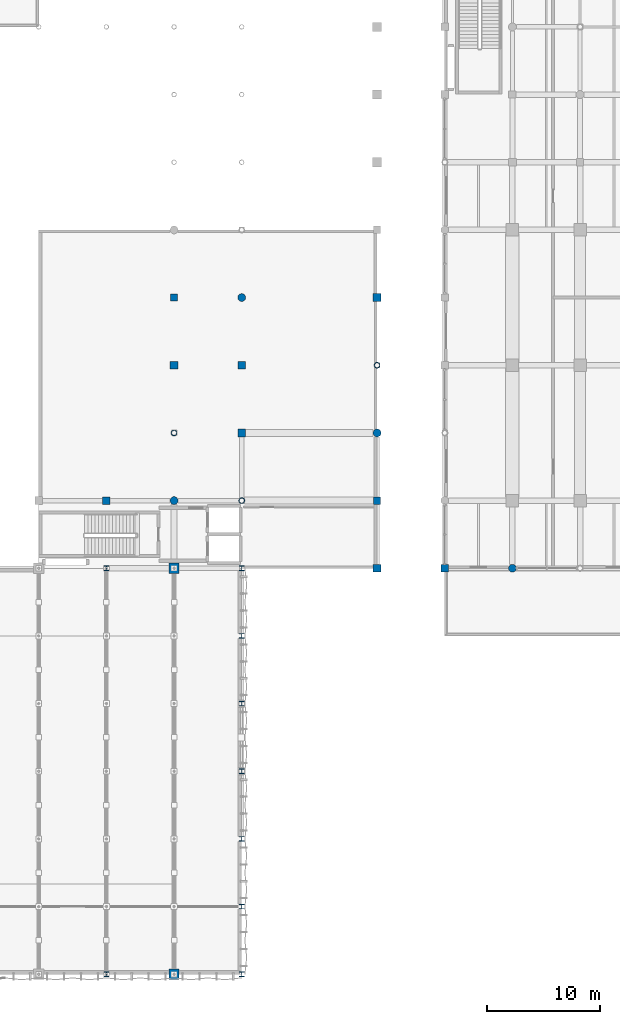
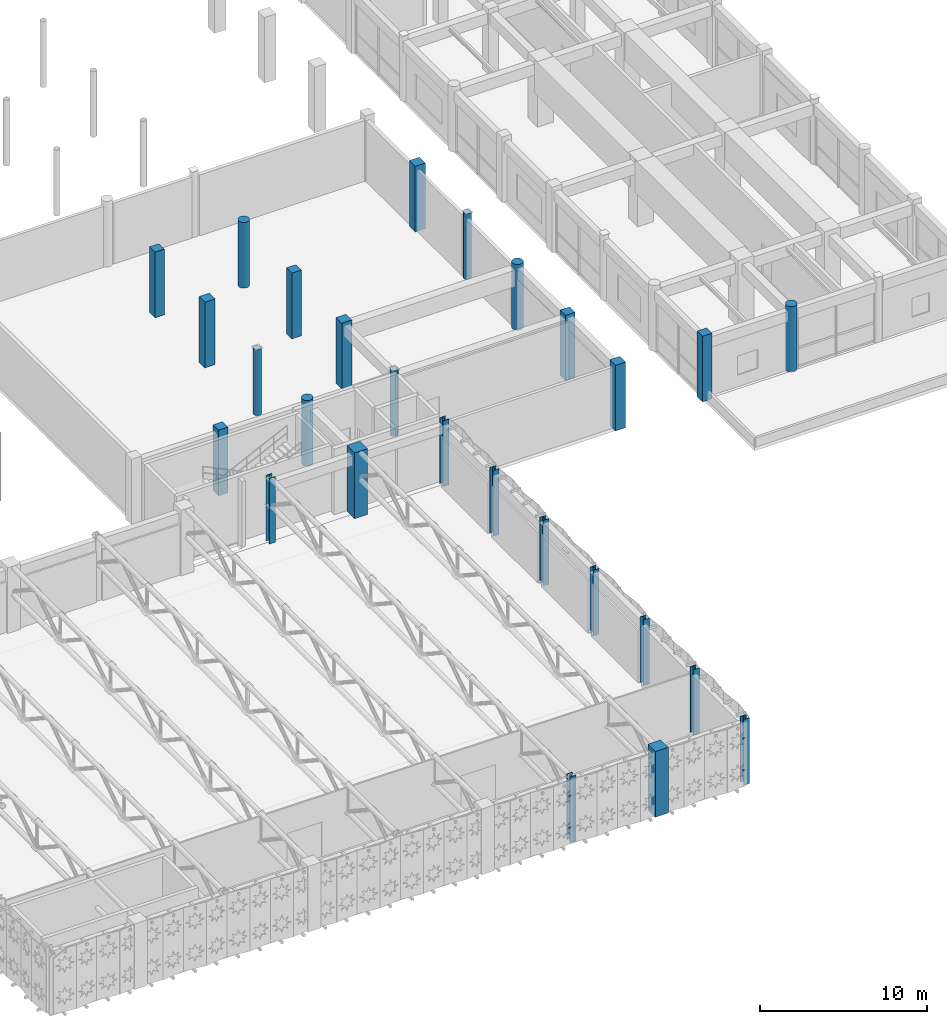
# One storey, part 11 of 123: 27 columns.
"""IFC4 building model written with IfcOpenShell, lengths in metres."""

from ifc_helpers import new_model, si_unit, direction, frame, origin, origin_2d, place, context, subcontext, project, spatial, rectangle, circle, hollow_circle, i_section, extrude, material, material_profile, profile_set, type_object, element, save


model = new_model("IFC4")

# Units and contexts
model_context = context("Model", 3, precision=1e-05, world=origin(), true_north=direction((0.0, 1.0)))
body_context = subcontext(model_context, "Body", "Model", "MODEL_VIEW")
ifc_project = project(units=[si_unit("LENGTHUNIT", "METRE"), si_unit("AREAUNIT", "SQUARE_METRE"), si_unit("VOLUMEUNIT", "CUBIC_METRE"), si_unit("PLANEANGLEUNIT", "RADIAN"), si_unit("MASSUNIT", "GRAM", prefix="KILO"), si_unit("THERMODYNAMICTEMPERATUREUNIT", "KELVIN"), si_unit("POWERUNIT", "WATT")], contexts=[model_context])

# Site, building, storey
site_placement = place(None, origin())
site = spatial("IfcSite", under=ifc_project, at=site_placement, CompositionType="ELEMENT")
building_placement = place(site_placement, origin())
building = spatial("IfcBuilding", under=site, at=building_placement, Name="Phaisarnlok Congress Hotel", CompositionType="ELEMENT")
storey_placement = place(building_placement, frame((0.0, 0.0, 15.0)))
storey = spatial("IfcBuildingStorey", under=building, at=storey_placement, Name="L03", CompositionType="ELEMENT", Elevation=15.0)

# Columns
ifc_material_1 = material(Name="Concrete C50/60", Category="concrete")
ifc_material_profile_1 = material_profile(ifc_material_1, rectangle(XDim=0.64990234375, YDim=0.64990234375, at=origin_2d()), Name="RC 650x650")
ifc_profile_set_1 = profile_set([ifc_material_profile_1], Name="Concrete C50/60")
column_type_1 = type_object("IfcColumnType", Name="COL-RC-650", PredefinedType="COLUMN", material=ifc_profile_set_1)
for number, where, z_axis, x_axis, name in (
    (1, (132.0, 42.0, 0.0), (0.0, 0.0, 1.0), (1.0, 0.0, 0.0), "Column C-04 (L03)"),
    (2, (138.0, 60.0, 0.0), (0.0, 0.0, 1.0), (1.0, 0.0, 0.0), "Column C-04 (L03)"),
    (3, (144.0, 54.0, 0.0), (0.0, 0.0, 1.0), (1.0, 0.0, 0.0), "Column C-04 (L03)"),
    (4, (156.0, 42.0, 0.0), (0.0, 0.0, 1.0), (1.0, 0.0, 0.0), "Column C-04 (L03)"),
    (5, (162.0, 36.0, 0.0), (0.0, 0.0, 1.0), (1.0, 0.0, 0.0), "Column C-04 (L03)"),
):
    element("IfcColumn", number, at=place(storey_placement, frame(where, z_axis=z_axis, x_axis=x_axis)), inside=storey, type_object=column_type_1, Name=name, PredefinedType="COLUMN", context=body_context, shape_type="SweptSolid", body=[
        extrude(rectangle(XDim=0.64990234375, YDim=0.64990234375, at=origin_2d()), origin(), (0.0, 0.0, 1.0), 4.800048828125),
    ])
ifc_material_profile_2 = material_profile(ifc_material_1, rectangle(XDim=0.699951171875, YDim=0.699951171875, at=origin_2d()), Name="RC 700x700")
ifc_profile_set_2 = profile_set([ifc_material_profile_2], Name="Concrete C50/60")
column_type_2 = type_object("IfcColumnType", Name="COL-RC-700", PredefinedType="COLUMN", material=ifc_profile_set_2)
for number, where, z_axis, x_axis, name in (
    (6, (138.0, 54.0, 0.0), (0.0, 0.0, 1.0), (1.0, 0.0, 0.0), "Column C-05 (L03)"),
    (7, (144.0, 48.0, 0.0), (0.0, 0.0, 1.0), (1.0, 0.0, 0.0), "Column C-05 (L03)"),
    (8, (156.0, 36.0, 0.0), (0.0, 0.0, 1.0), (1.0, 0.0, 0.0), "Column C-05 (L03)"),
    (9, (156.0, 60.0, 0.0), (0.0, 0.0, 1.0), (1.0, 0.0, 0.0), "Column C-05 (L03)"),
):
    element("IfcColumn", number, at=place(storey_placement, frame(where, z_axis=z_axis, x_axis=x_axis)), inside=storey, type_object=column_type_2, Name=name, PredefinedType="COLUMN", context=body_context, shape_type="SweptSolid", body=[
        extrude(rectangle(XDim=0.699951171875, YDim=0.699951171875, at=origin_2d()), origin(), (0.0, 0.0, 1.0), 4.800048828125),
    ])
ifc_material_profile_3 = material_profile(ifc_material_1, rectangle(XDim=0.89990234375, YDim=0.89990234375, at=origin_2d()), Name="RC 900x900")
ifc_profile_set_3 = profile_set([ifc_material_profile_3], Name="Concrete C50/60")
column_type_3 = type_object("IfcColumnType", Name="COL-RC-900", PredefinedType="COLUMN", material=ifc_profile_set_3)
column_1_placement = place(storey_placement, frame((138.0, 36.0, 0.0), z_axis=(0.0, 0.0, 1.0), x_axis=(1.0, 0.0, 0.0)))
element("IfcColumn", 10, at=column_1_placement, inside=storey, type_object=column_type_3, Name="Column C-08 (L03)", PredefinedType="COLUMN", context=body_context, shape_type="SweptSolid", body=[
    extrude(rectangle(XDim=0.89990234375, YDim=0.89990234375, at=origin_2d()), origin(), (0.0, 0.0, 1.0), 4.800048828125),
])
ifc_material_profile_4 = material_profile(ifc_material_1, rectangle(XDim=0.89990234375, YDim=0.89990234375, at=origin_2d()), Name="RC 900x900")
ifc_profile_set_4 = profile_set([ifc_material_profile_4], Name="Concrete C50/60")
column_type_4 = type_object("IfcColumnType", Name="COL-RC-900-EXT", PredefinedType="COLUMN", material=ifc_profile_set_4)
column_2_placement = place(storey_placement, frame((138.0, 0.0, 0.0), z_axis=(0.0, 0.0, 1.0), x_axis=(1.0, 0.0, 0.0)))
element("IfcColumn", 11, at=column_2_placement, inside=storey, type_object=column_type_4, Name="Column C-08E (L03)", PredefinedType="COLUMN", context=body_context, shape_type="SweptSolid", body=[
    extrude(rectangle(XDim=0.89990234375, YDim=0.89990234375, at=origin_2d()), origin(), (0.0, 0.0, 1.0), 4.800048828125),
])
ifc_material_profile_5 = material_profile(ifc_material_1, circle(Radius=0.35009765625, at=origin_2d()), Name="RCC D700")
ifc_profile_set_5 = profile_set([ifc_material_profile_5], Name="Concrete C50/60")
column_type_5 = type_object("IfcColumnType", Name="COL-RCC-700", PredefinedType="COLUMN", material=ifc_profile_set_5)
for number, where, z_axis, x_axis, name in (
    (12, (138.0, 42.0, 0.0), (0.0, 0.0, 1.0), (1.0, 0.0, 0.0), "Column C-13 (L03)"),
    (13, (144.0, 60.0, 0.0), (0.0, 0.0, 1.0), (1.0, 0.0, 0.0), "Column C-13 (L03)"),
    (14, (156.0, 48.0, 0.0), (0.0, 0.0, 1.0), (1.0, 0.0, 0.0), "Column C-13 (L03)"),
    (15, (168.0, 36.0, 0.0), (0.0, 0.0, 1.0), (1.0, 0.0, 0.0), "Column C-13 (L03)"),
):
    element("IfcColumn", number, at=place(storey_placement, frame(where, z_axis=z_axis, x_axis=x_axis)), inside=storey, type_object=column_type_5, Name=name, PredefinedType="COLUMN", context=body_context, shape_type="SweptSolid", body=[
        extrude(circle(Radius=0.35009765625, at=origin_2d()), origin(), (0.0, 0.0, 1.0), 4.800048828125),
    ])
ifc_material_2 = material(Name="Steel S355", Category="steel")
ifc_material_profile_6 = material_profile(ifc_material_2, hollow_circle(Radius=0.25390625, WallThickness=0.02490234375, at=origin_2d()), Name="CHS 508x25")
ifc_profile_set_6 = profile_set([ifc_material_profile_6], Name="Steel S355")
column_type_6 = type_object("IfcColumnType", Name="COL-STL-CHS508", PredefinedType="COLUMN", material=ifc_profile_set_6)
for number, where, z_axis, x_axis, name in (
    (16, (138.0, 48.0, 0.0), (0.0, 0.0, 1.0), (1.0, 0.0, 0.0), "Column SC-03 (L03)"),
    (17, (144.0, 42.0, 0.0), (0.0, 0.0, 1.0), (1.0, 0.0, 0.0), "Column SC-03 (L03)"),
    (18, (156.0, 54.0, 0.0), (0.0, 0.0, 1.0), (1.0, 0.0, 0.0), "Column SC-03 (L03)"),
):
    element("IfcColumn", number, at=place(storey_placement, frame(where, z_axis=z_axis, x_axis=x_axis)), inside=storey, type_object=column_type_6, Name=name, PredefinedType="COLUMN", context=body_context, shape_type="SweptSolid", body=[
        extrude(hollow_circle(Radius=0.25390625, WallThickness=0.02490234375, at=origin_2d()), origin(), (0.0, 0.0, 1.0), 4.800048828125),
    ])
ifc_material_profile_7 = material_profile(ifc_material_2, i_section(OverallWidth=0.406005859375, OverallDepth=0.416015625, WebThickness=0.021484375, FlangeThickness=0.034912109375, FilletRadius=0.014892578125, at=origin_2d()), Name="HD 400x382")
ifc_profile_set_7 = profile_set([ifc_material_profile_7], Name="Steel S355")
column_type_7 = type_object("IfcColumnType", Name="COL-STL-HD382", PredefinedType="COLUMN", material=ifc_profile_set_7)
for number, where, z_axis, x_axis, name in (
    (19, (132.0, 36.0, 0.0), (0.0, 0.0, 1.0), (1.0, 0.0, 0.0), "Column SC-05 (L03)"),
    (20, (144.0, 6.0, 0.0), (0.0, 0.0, 1.0), (1.0, 0.0, 0.0), "Column SC-05 (L03)"),
    (21, (144.0, 12.0, 0.0), (0.0, 0.0, 1.0), (1.0, 0.0, 0.0), "Column SC-05 (L03)"),
    (22, (144.0, 18.0, 0.0), (0.0, 0.0, 1.0), (1.0, 0.0, 0.0), "Column SC-05 (L03)"),
    (23, (144.0, 24.0, 0.0), (0.0, 0.0, 1.0), (1.0, 0.0, 0.0), "Column SC-05 (L03)"),
    (24, (144.0, 30.0, 0.0), (0.0, 0.0, 1.0), (1.0, 0.0, 0.0), "Column SC-05 (L03)"),
    (25, (144.0, 36.0, 0.0), (0.0, 0.0, 1.0), (1.0, 0.0, 0.0), "Column SC-05 (L03)"),
):
    element("IfcColumn", number, at=place(storey_placement, frame(where, z_axis=z_axis, x_axis=x_axis)), inside=storey, type_object=column_type_7, Name=name, PredefinedType="COLUMN", context=body_context, shape_type="SweptSolid", body=[
        extrude(i_section(OverallWidth=0.406005859375, OverallDepth=0.416015625, WebThickness=0.021484375, FlangeThickness=0.034912109375, FilletRadius=0.014892578125, at=origin_2d()), origin(), (0.0, 0.0, 1.0), 4.800048828125),
    ])
ifc_material_profile_8 = material_profile(ifc_material_2, i_section(OverallWidth=0.406005859375, OverallDepth=0.416015625, WebThickness=0.021484375, FlangeThickness=0.034912109375, FilletRadius=0.014892578125, at=origin_2d()), Name="HD 400x382")
ifc_profile_set_8 = profile_set([ifc_material_profile_8], Name="Steel S355")
column_type_8 = type_object("IfcColumnType", Name="COL-STL-HD382-EXT", PredefinedType="COLUMN", material=ifc_profile_set_8)
for number, where, z_axis, x_axis, name in (
    (26, (132.0, 0.0, 0.0), (0.0, 0.0, 1.0), (1.0, 0.0, 0.0), "Column SC-05E (L03)"),
    (27, (144.0, 0.0, 0.0), (0.0, 0.0, 1.0), (1.0, 0.0, 0.0), "Column SC-05E (L03)"),
):
    element("IfcColumn", number, at=place(storey_placement, frame(where, z_axis=z_axis, x_axis=x_axis)), inside=storey, type_object=column_type_8, Name=name, PredefinedType="COLUMN", context=body_context, shape_type="SweptSolid", body=[
        extrude(i_section(OverallWidth=0.406005859375, OverallDepth=0.416015625, WebThickness=0.021484375, FlangeThickness=0.034912109375, FilletRadius=0.014892578125, at=origin_2d()), origin(), (0.0, 0.0, 1.0), 4.800048828125),
    ])

save(model, "model.ifc")
